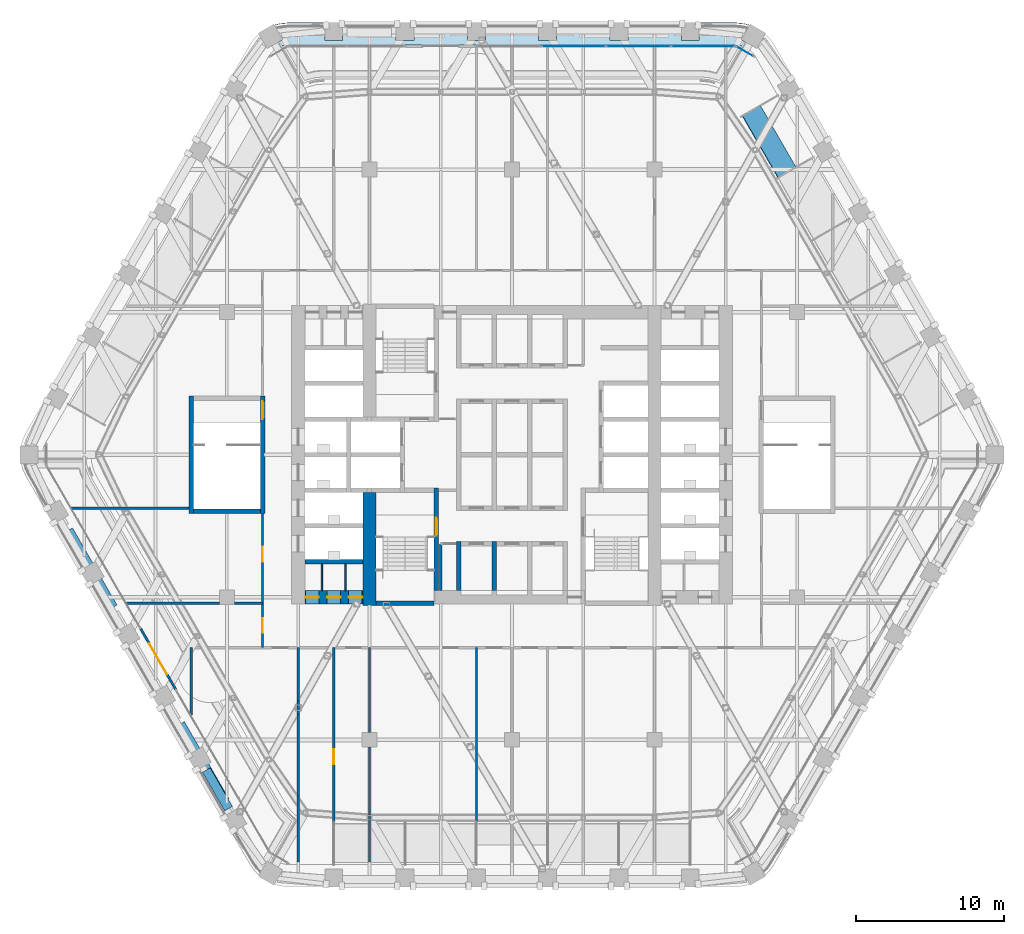
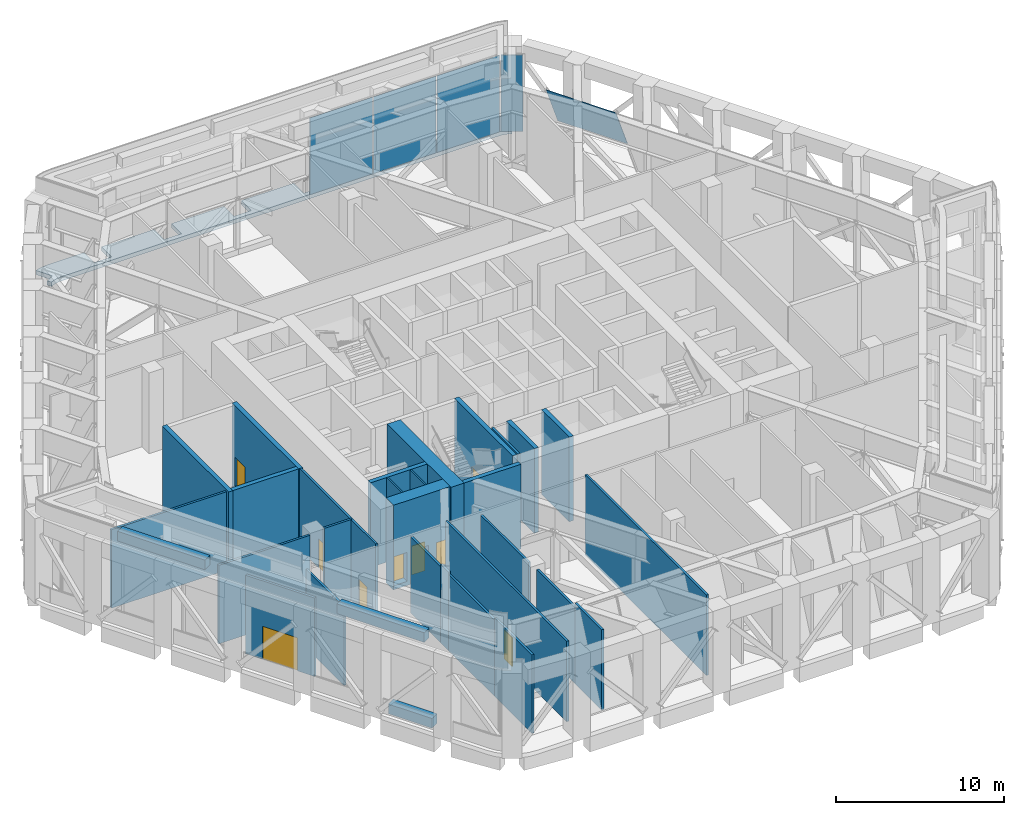
# One storey, part 15 of 27: 31 walls, 9 doors, 5 plates, 1 slab, 9 openings, 3 elements without a shape of their own.
"""IFC4 building model written with IfcOpenShell, lengths in metres."""

from ifc_helpers import new_model, si_unit, direction, frame, frame_2d, origin, origin_2d, place, context, subcontext, project, spatial, polyline, rectangle, outline, extrude, material, layer, layer_set, type_object, element, fill, aggregate, save


model = new_model("IFC4")

# Units and contexts
model_context = context("Model", 3, precision=1e-05, world=origin(), true_north=direction((0.0, 1.0)))
body_context = subcontext(model_context, "Body", "Model", "MODEL_VIEW")
ifc_project = project(units=[si_unit("LENGTHUNIT", "METRE"), si_unit("AREAUNIT", "SQUARE_METRE"), si_unit("VOLUMEUNIT", "CUBIC_METRE"), si_unit("PLANEANGLEUNIT", "RADIAN"), si_unit("MASSUNIT", "GRAM", prefix="KILO")], contexts=[model_context])

# Site, building, storey
site_placement = place(None, origin())
site = spatial("IfcSite", under=ifc_project, at=site_placement, CompositionType="ELEMENT")
building_placement = place(site_placement, origin())
building = spatial("IfcBuilding", under=site, at=building_placement, Name="Kolab Exchange Tower", CompositionType="ELEMENT")
storey_placement = place(building_placement, frame((0.0, 0.0, 127.39990234375)))
storey = spatial("IfcBuildingStorey", under=building, at=storey_placement, Name="L25", CompositionType="ELEMENT", Elevation=127.39990234375)

# Curtain wall, plate
ifc_material_1 = material(Name="Aluminium EN AW-6063 T6", Category="aluminium")
curtain_wall_type_1 = type_object("IfcCurtainWallType", Name="CANTED BAND CURTAIN WALL", PredefinedType="NOTDEFINED", material=ifc_material_1)
curtain_wall_1_placement = place(storey_placement, origin())
curtain_wall_1 = element("IfcCurtainWall", 1, at=curtain_wall_1_placement, inside=storey, type_object=curtain_wall_type_1, Name="band/L25/F2", PredefinedType="NOTDEFINED")
ifc_layer_1 = layer(ifc_material_1, 0.031982421875)
ifc_layer_set_1 = layer_set([ifc_layer_1], Name="Aluminium EN AW-6063 T6")
plate_type_1 = type_object("IfcPlateType", Name="CANTED BAND LOUVRE PANEL 32", PredefinedType="CURTAIN_PANEL", material=ifc_layer_set_1)
plate_1_placement = place(storey_placement, frame((16.730224609375, 23.515625, 2.72265625), z_axis=(0.789544835727, 0.455832128459, 0.4108966087), x_axis=(0.499988437543, -0.866032079256, 4.763279e-06)))
plate_1 = element("IfcPlate", 2, at=plate_1_placement, type_object=plate_type_1, Name="Band louvre panel", PredefinedType="CURTAIN_PANEL", context=body_context, shape_type="SweptSolid", body=[
    extrude(outline(polyline([(0.0, 0.0), (4.800003553354755, 1.1102230246251565e-16), (4.799917624033859, -3.375486063607756), (0.0001255042922034945, -3.37553621980711), (0.0, 0.0)])), origin(), (0.0, 0.0, -1.0), 0.031982421875),
])
aggregate(curtain_wall_1, [plate_1])

# Slab
ifc_material_2 = material(Name="Concrete C35/45", Category="concrete")
ifc_layer_2 = layer(ifc_material_2, 0.300048828125)
ifc_layer_set_2 = layer_set([ifc_layer_2], Name="Concrete C35/45")
slab_type = type_object("IfcSlabType", Name="LOGGIA SLAB 300", PredefinedType="FLOOR", material=ifc_layer_set_2)
slab_placement = place(storey_placement, frame((0.0, 0.0, -0.2998046875)))
element("IfcSlab", 3, at=slab_placement, inside=storey, type_object=slab_type, Name="slab/L25/loggia/0-0", PredefinedType="FLOOR", context=body_context, shape_type="SweptSolid", body=[
    extrude(outline(polyline([(15.81787109375, 27.3974609375), (15.968017578125, 27.6572265625), (15.4482421875, 27.957275390625), (16.014892578125, 28.938720703125), (15.5888671875, 29.052978515625), (15.06787109375, 29.098388671875), (12.60009765625, 29.098388671875), (12.60009765625, 27.8984375), (11.39990234375, 27.8984375), (11.39990234375, 29.098388671875), (7.800048828125, 29.098388671875), (7.800048828125, 27.8984375), (6.60009765625, 27.8984375), (6.60009765625, 29.098388671875), (3.0, 29.098388671875), (3.0, 27.8984375), (1.800048828125, 27.8984375), (1.800048828125, 29.098388671875), (-1.800048828125, 29.098388671875), (-1.800048828125, 27.8984375), (-3.0, 27.8984375), (-3.0, 29.098388671875), (-6.60009765625, 29.098388671875), (-6.60009765625, 27.8984375), (-7.800048828125, 27.8984375), (-7.800048828125, 29.098388671875), (-11.39990234375, 29.098388671875), (-11.39990234375, 27.8984375), (-12.60009765625, 27.8984375), (-12.60009765625, 29.098388671875), (-15.06787109375, 29.098388671875), (-15.5888671875, 29.052978515625), (-16.014892578125, 28.938720703125), (-15.4482421875, 27.957275390625), (-15.968017578125, 27.6572265625), (-15.81787109375, 27.3974609375), (-15.5810546875, 27.508056640625), (-15.328369140625, 27.57568359375), (-15.06787109375, 27.598388671875), (15.06787109375, 27.598388671875), (15.328369140625, 27.57568359375), (15.5810546875, 27.508056640625), (15.81787109375, 27.3974609375)])), origin(), (0.0, 0.0, 1.0), 0.2998046875),
])

# Curtain wall, plates
curtain_wall_type_2 = type_object("IfcCurtainWallType", Name="UNITISED LOWER MID ZONE BELT CURTAIN WALL", PredefinedType="NOTDEFINED", material=ifc_material_1)
curtain_wall_2_placement = place(storey_placement, origin())
curtain_wall_2 = element("IfcCurtainWall", 4, at=curtain_wall_2_placement, inside=storey, type_object=curtain_wall_type_2, Name="cw/L25/F1-2", PredefinedType="NOTDEFINED")
ifc_layer_3 = layer(ifc_material_1, 0.02587890625)
ifc_layer_set_3 = layer_set([ifc_layer_3], Name="Aluminium EN AW-6063 T6")
plate_type_2 = type_object("IfcPlateType", Name="UNITISED LOWER MID ZONE BELT LOUVRE PANEL 26", PredefinedType="CURTAIN_PANEL", material=ifc_layer_set_3)
plate_2_placement = place(storey_placement, frame((4.150390625, 27.5185546875, 0.06005859375), z_axis=(0.0, 0.0, 1.0), x_axis=(1.0, 0.0, 0.0)))
plate_2 = element("IfcPlate", 5, at=plate_2_placement, type_object=plate_type_2, Name="CW10 panel 2.1", PredefinedType="CURTAIN_PANEL", context=body_context, shape_type="SweptSolid", body=[
    extrude(rectangle(XDim=4.306884765625, YDim=0.02587890625, at=origin_2d()), origin(), (0.0, 0.0, 1.0), 5.580078125),
])
plate_3_placement = place(storey_placement, frame((8.517578125, 27.5185546875, 0.06005859375), z_axis=(0.0, 0.0, 1.0), x_axis=(1.0, 0.0, 0.0)))
plate_3 = element("IfcPlate", 6, at=plate_3_placement, type_object=plate_type_2, Name="CW10 panel 3.1", PredefinedType="CURTAIN_PANEL", context=body_context, shape_type="SweptSolid", body=[
    extrude(rectangle(XDim=4.306884765625, YDim=0.02587890625, at=origin_2d()), origin(), (0.0, 0.0, 1.0), 5.580078125),
])
plate_4_placement = place(storey_placement, frame((12.869384765625, 27.5185546875, 0.06005859375), z_axis=(0.0, 0.0, 1.0), x_axis=(1.0, 0.0, 0.0)))
plate_4 = element("IfcPlate", 7, at=plate_4_placement, type_object=plate_type_2, Name="CW10 panel 4.1", PredefinedType="CURTAIN_PANEL", context=body_context, shape_type="SweptSolid", body=[
    extrude(rectangle(XDim=4.277099609375, YDim=0.02587890625, at=origin_2d()), origin(), (0.0, 0.0, 1.0), 5.580078125),
])
aggregate(curtain_wall_2, [plate_2, plate_3, plate_4])

# Curtain wall, plate
curtain_wall_3_placement = place(storey_placement, origin())
curtain_wall_3 = element("IfcCurtainWall", 8, at=curtain_wall_3_placement, inside=storey, type_object=curtain_wall_type_2, Name="cw/L25/F1F2-corner", PredefinedType="NOTDEFINED")
plate_5_placement = place(storey_placement, frame((15.682861328125, 27.16357421875, 0.06005859375), z_axis=(0.0, 0.0, 1.0), x_axis=(0.866025390869, -0.50000002237, 0.0)))
plate_5 = element("IfcPlate", 9, at=plate_5_placement, type_object=plate_type_2, Name="CW10 panel 1.1", PredefinedType="CURTAIN_PANEL", context=body_context, shape_type="SweptSolid", body=[
    extrude(rectangle(XDim=1.300048828125, YDim=0.02587890625, at=origin_2d()), origin(), (0.0, 0.0, 1.0), 5.580078125),
])
aggregate(curtain_wall_3, [plate_5])

# Wall, openings, doors
ifc_material_3 = material(Name="Concrete C70/85", Category="concrete")
ifc_layer_4 = layer(ifc_material_3, 0.89990234375)
ifc_layer_set_4 = layer_set([ifc_layer_4], Name="Concrete C70/85")
wall_type_1 = type_object("IfcWallType", Name="CORE WALL 900 C70/85", PredefinedType="SHEAR", material=ifc_layer_set_4)
wall_1_placement = place(storey_placement, frame((-13.949951171875, -9.60009765625, -0.2998046875), z_axis=(0.0, 0.0, 1.0), x_axis=(1.0, 0.0, 0.0)))
wall_1 = element("IfcWall", 10, at=wall_1_placement, inside=storey, type_object=wall_type_1, Name="wall/L25/core/002", PredefinedType="SHEAR", context=body_context, shape_type="SweptSolid", body=[
    extrude(rectangle(XDim=3.89990234375, YDim=0.89990234375, at=frame_2d((1.949951171875, 0.0))), origin(), (0.0, 0.0, 1.0), 6.14990234375),
])
opening_1_placement = place(wall_1_placement, frame((0.050048828125, 0.0, 0.300048828125)))
opening_1 = element("IfcOpeningElement", 11, at=opening_1_placement, cuts=wall_1, Name="Opening D6-281", PredefinedType="OPENING", context=body_context, shape_type="SweptSolid", body=[
    extrude(rectangle(XDim=0.89990234375, YDim=2.10009765625, at=frame_2d((0.449951171875, 1.050048828125))), frame((0.0, 0.4599609375, 0.0), z_axis=(0.0, -1.0, 0.0), x_axis=(1.0, 0.0, 0.0)), (0.0, 0.0, 1.0), 0.919921875),
])
opening_2_placement = place(wall_1_placement, frame((1.5, 0.0, 0.300048828125)))
opening_2 = element("IfcOpeningElement", 12, at=opening_2_placement, cuts=wall_1, Name="Opening D6-282", PredefinedType="OPENING", context=body_context, shape_type="SweptSolid", body=[
    extrude(rectangle(XDim=0.89990234375, YDim=2.10009765625, at=frame_2d((0.449951171875, 1.050048828125))), frame((0.0, 0.4599609375, 0.0), z_axis=(0.0, -1.0, 0.0), x_axis=(1.0, 0.0, 0.0)), (0.0, 0.0, 1.0), 0.919921875),
])
opening_3_placement = place(wall_1_placement, frame((2.949951171875, 0.0, 0.300048828125)))
opening_3 = element("IfcOpeningElement", 13, at=opening_3_placement, cuts=wall_1, Name="Opening D6-283", PredefinedType="OPENING", context=body_context, shape_type="SweptSolid", body=[
    extrude(rectangle(XDim=0.89990234375, YDim=2.10009765625, at=frame_2d((0.449951171875, 1.050048828125))), frame((0.0, 0.4599609375, 0.0), z_axis=(0.0, -1.0, 0.0), x_axis=(1.0, 0.0, 0.0)), (0.0, 0.0, 1.0), 0.919921875),
])
ifc_material_4 = material(Name="Steel S235", Category="steel")
door_type_1 = type_object("IfcDoorType", Name="CORE DOOR 900 EI 120", OperationType="SINGLE_SWING_LEFT", PredefinedType="DOOR", material=ifc_material_4)
door_1_placement = place(opening_1_placement, origin())
door_1 = element("IfcDoor", 14, at=door_1_placement, inside=storey, type_object=door_type_1, Name="Service room door", OperationType="SINGLE_SWING_RIGHT", OverallHeight=2.10009765625, OverallWidth=0.89990234375, PredefinedType="DOOR", context=body_context, shape_type="SweptSolid", body=[
    extrude(rectangle(XDim=0.89990234375, YDim=2.10009765625, at=frame_2d((0.449951171875, 1.050048828125))), frame((0.0, 0.02490234375, 0.0), z_axis=(0.0, -1.0, 0.0), x_axis=(1.0, 0.0, 0.0)), (0.0, 0.0, 1.0), 0.050048828125),
])
fill(opening_1, door_1)
door_2_placement = place(opening_2_placement, origin())
door_2 = element("IfcDoor", 15, at=door_2_placement, inside=storey, type_object=door_type_1, Name="Service room door", OperationType="SINGLE_SWING_LEFT", OverallHeight=2.10009765625, OverallWidth=0.89990234375, PredefinedType="DOOR", context=body_context, shape_type="SweptSolid", body=[
    extrude(rectangle(XDim=0.89990234375, YDim=2.10009765625, at=frame_2d((0.449951171875, 1.050048828125))), frame((0.0, 0.02490234375, 0.0), z_axis=(0.0, -1.0, 0.0), x_axis=(1.0, 0.0, 0.0)), (0.0, 0.0, 1.0), 0.050048828125),
])
fill(opening_2, door_2)
door_3_placement = place(opening_3_placement, origin())
door_3 = element("IfcDoor", 16, at=door_3_placement, inside=storey, type_object=door_type_1, Name="Service room door", OperationType="SINGLE_SWING_LEFT", OverallHeight=2.10009765625, OverallWidth=0.89990234375, PredefinedType="DOOR", context=body_context, shape_type="SweptSolid", body=[
    extrude(rectangle(XDim=0.89990234375, YDim=2.10009765625, at=frame_2d((0.449951171875, 1.050048828125))), frame((0.0, 0.02490234375, 0.0), z_axis=(0.0, -1.0, 0.0), x_axis=(1.0, 0.0, 0.0)), (0.0, 0.0, 1.0), 0.050048828125),
])
fill(opening_3, door_3)

# Wall
wall_2_placement = place(storey_placement, frame((-9.60009765625, -10.14990234375, -0.2998046875), z_axis=(0.0, 0.0, 1.0), x_axis=(0.0, 1.0, 0.0)))
element("IfcWall", 17, at=wall_2_placement, inside=storey, type_object=wall_type_1, Name="wall/L25/core/059", PredefinedType="SHEAR", context=body_context, shape_type="SweptSolid", body=[
    extrude(rectangle(XDim=7.599853515625, YDim=0.89990234375, at=frame_2d((3.7998046875, 0.0))), origin(), (0.0, 0.0, 1.0), 6.14990234375),
])

# Wall, opening, door
ifc_layer_5 = layer(ifc_material_1, 0.159912109375)
ifc_layer_set_5 = layer_set([ifc_layer_5], Name="Aluminium EN AW-6063 T6")
wall_type_2 = type_object("IfcWallType", Name="DOOR SURROUND WALL 160 ALUMINIUM FRAMED", PredefinedType="PARTITIONING", material=ifc_layer_set_5)
wall_3_placement = place(storey_placement, frame((-22.646728515625, -15.811767578125, 0.0), z_axis=(0.0, 0.0, 1.0), x_axis=(-0.499978080042, 0.866038058908, 0.0)))
wall_3 = element("IfcWall", 18, at=wall_3_placement, inside=storey, type_object=wall_type_2, Name="Door surround wall", PredefinedType="PARTITIONING", context=body_context, shape_type="SweptSolid", body=[
    extrude(rectangle(XDim=4.739990234375, YDim=0.159912109375, at=frame_2d((2.3701171875, 0.0))), origin(), (0.0, 0.0, 1.0), 5.7001953125),
])
opening_4_placement = place(wall_3_placement, frame((1.169921875, 0.0, 0.0)))
opening_4 = element("IfcOpeningElement", 19, at=opening_4_placement, cuts=wall_3, Name="Opening GD1-054", PredefinedType="OPENING", context=body_context, shape_type="SweptSolid", body=[
    extrude(rectangle(XDim=2.39990234375, YDim=2.39990234375, at=frame_2d((1.199951171875, 1.199951171875))), frame((0.0, 0.08984375, 0.0), z_axis=(0.0, -1.0, 0.0), x_axis=(1.0, 0.0, 0.0)), (0.0, 0.0, 1.0), 0.179931640625),
])
door_type_2 = type_object("IfcDoorType", Name="LOGGIA SLIDING GLASS DOOR 2400 X 2400", OperationType="DOUBLE_DOOR_SINGLE_SWING", PredefinedType="DOOR", material=ifc_material_1)
door_4_placement = place(opening_4_placement, origin())
door_4 = element("IfcDoor", 20, at=door_4_placement, inside=storey, type_object=door_type_2, Name="Loggia door", OperationType="DOUBLE_DOOR_SLIDING", OverallHeight=2.39990234375, OverallWidth=2.39990234375, PredefinedType="DOOR", context=body_context, shape_type="SweptSolid", body=[
    extrude(rectangle(XDim=2.39990234375, YDim=2.39990234375, at=frame_2d((1.199951171875, 1.199951171875))), frame((0.0, 0.02490234375, 0.0), z_axis=(0.0, -1.0, 0.0), x_axis=(1.0, 0.0, 0.0)), (0.0, 0.0, 1.0), 0.050048828125),
])
fill(opening_4, door_4)

# Walls
ifc_material_5 = material(Name="Concrete C50/60", Category="concrete")
ifc_layer_6 = layer(ifc_material_5, 0.300048828125)
ifc_layer_set_6 = layer_set([ifc_layer_6], Name="Concrete C50/60")
wall_type_3 = type_object("IfcWallType", Name="LIFT SHAFT WALL 300 C50/60", PredefinedType="STANDARD", material=ifc_layer_set_6)
wall_4_placement = place(storey_placement, frame((-13.949951171875, -7.199951171875, -0.2998046875), z_axis=(0.0, 0.0, 1.0), x_axis=(1.0, 0.0, 0.0)))
element("IfcWall", 21, at=wall_4_placement, inside=storey, type_object=wall_type_3, Name="wall/L25/core/005", PredefinedType="STANDARD", context=body_context, shape_type="SweptSolid", body=[
    extrude(rectangle(XDim=3.89990234375, YDim=0.300048828125, at=frame_2d((1.949951171875, 0.0))), origin(), (0.0, 0.0, 1.0), 6.14990234375),
])
for number, where, z_axis, x_axis, name in (
    (22, (-3.60009765625, -9.14990234375, -0.2998046875), (0.0, 0.0, 1.0), (0.0, 1.0, 0.0), "wall/L25/core/066"),
    (23, (-1.199951171875, -9.14990234375, -0.2998046875), (0.0, 0.0, 1.0), (0.0, 1.0, 0.0), "wall/L25/core/069"),
):
    element("IfcWall", number, at=place(storey_placement, frame(where, z_axis=z_axis, x_axis=x_axis)), inside=storey, type_object=wall_type_3, Name=name, PredefinedType="STANDARD", context=body_context, shape_type="SweptSolid", body=[
        extrude(rectangle(XDim=3.2998046875, YDim=0.300048828125, at=frame_2d((1.64990234375, 0.0))), origin(), (0.0, 0.0, 1.0), 6.14990234375),
    ])
ifc_material_6 = material(Name="Gypsum board", Category="gypsum")
ifc_layer_7 = layer(ifc_material_6, 0.10009765625)
ifc_layer_set_7 = layer_set([ifc_layer_7], Name="Gypsum board")
wall_type_4 = type_object("IfcWallType", Name="PARTITION 100", PredefinedType="PARTITIONING", material=ifc_layer_set_7)
for number, where, z_axis, x_axis, name in (
    (24, (-11.199951171875, -9.14990234375, 0.0), (0.0, 0.0, 1.0), (0.0, 1.0, 0.0), "Partition 027"),
    (25, (-12.800048828125, -9.14990234375, 0.0), (0.0, 0.0, 1.0), (0.0, 1.0, 0.0), "Partition 031"),
):
    element("IfcWall", number, at=place(storey_placement, frame(where, z_axis=z_axis, x_axis=x_axis)), inside=storey, type_object=wall_type_4, Name=name, PredefinedType="PARTITIONING", context=body_context, shape_type="SweptSolid", body=[
        extrude(rectangle(XDim=1.7998046875, YDim=0.10009765625, at=frame_2d((0.89990234375, 0.0))), origin(), (0.0, 0.0, 1.0), 5.85009765625),
    ])
ifc_layer_8 = layer(ifc_material_6, 0.14990234375)
ifc_layer_set_8 = layer_set([ifc_layer_8], Name="Gypsum board")
wall_type_5 = type_object("IfcWallType", Name="PARTITION 150 FIRE-RATED", PredefinedType="PARTITIONING", material=ifc_layer_set_8)
wall_5_placement = place(storey_placement, frame((-2.39990234375, -27.428466796875, 0.0), z_axis=(0.0, 0.0, 1.0), x_axis=(0.0, 1.0, 0.0)))
element("IfcWall", 26, at=wall_5_placement, inside=storey, type_object=wall_type_5, Name="Partition 020", PredefinedType="PARTITIONING", context=body_context, shape_type="SweptSolid", body=[
    extrude(rectangle(XDim=14.428466796875, YDim=0.14990234375, at=frame_2d((7.21435546875, 0.0))), origin(), (0.0, 0.0, 1.0), 5.85009765625),
])
wall_6_placement = place(storey_placement, frame((-4.800048828125, -9.14990234375, 0.0), z_axis=(0.0, 0.0, 1.0), x_axis=(0.0, 1.0, 0.0)))
element("IfcWall", 27, at=wall_6_placement, inside=storey, type_object=wall_type_5, Name="Partition 022", PredefinedType="PARTITIONING", context=body_context, shape_type="SweptSolid", body=[
    extrude(rectangle(XDim=3.14990234375, YDim=0.14990234375, at=frame_2d((1.574951171875, 0.0))), origin(), (0.0, 0.0, 1.0), 5.85009765625),
])
wall_7_placement = place(storey_placement, frame((-9.60009765625, -24.230712890625, 0.0), z_axis=(0.0, 0.0, 1.0), x_axis=(0.0, 1.0, 0.0)))
element("IfcWall", 28, at=wall_7_placement, inside=storey, type_object=wall_type_5, Name="Partition 023", PredefinedType="PARTITIONING", context=body_context, shape_type="SweptSolid", body=[
    extrude(rectangle(XDim=4.53076171875, YDim=0.14990234375, at=frame_2d((2.265380859375, 0.0))), origin(), (0.0, 0.0, 1.0), 5.5400390625),
])
wall_8_placement = place(storey_placement, frame((-9.60009765625, -27.428466796875, 0.0), z_axis=(0.0, 0.0, 1.0), x_axis=(0.0, 1.0, 0.0)))
element("IfcWall", 29, at=wall_8_placement, inside=storey, type_object=wall_type_5, Name="Partition 023", PredefinedType="PARTITIONING", context=body_context, shape_type="SweptSolid", body=[
    extrude(rectangle(XDim=3.19775390625, YDim=0.14990234375, at=frame_2d((1.598876953125, 0.0))), origin(), (0.0, 0.0, 1.0), 5.85009765625),
])
wall_9_placement = place(storey_placement, frame((-9.60009765625, -18.699951171875, 0.0), z_axis=(0.0, 0.0, 1.0), x_axis=(0.0, 1.0, 0.0)))
element("IfcWall", 30, at=wall_9_placement, inside=storey, type_object=wall_type_5, Name="Partition 024", PredefinedType="PARTITIONING", context=body_context, shape_type="SweptSolid", body=[
    extrude(rectangle(XDim=5.699951171875, YDim=0.14990234375, at=frame_2d((2.85009765625, 0.0))), origin(), (0.0, 0.0, 1.0), 5.443115234375),
])

# Wall, opening, door
wall_10_placement = place(storey_placement, frame((-12.0, -27.428466796875, 0.0), z_axis=(0.0, 0.0, 1.0), x_axis=(0.0, 1.0, 0.0)))
wall_10 = element("IfcWall", 31, at=wall_10_placement, inside=storey, type_object=wall_type_5, Name="Partition 029", PredefinedType="PARTITIONING", context=body_context, shape_type="SweptSolid", body=[
    extrude(rectangle(XDim=14.428466796875, YDim=0.14990234375, at=frame_2d((7.21435546875, 0.0))), origin(), (0.0, 0.0, 1.0), 5.85009765625),
])
opening_5_placement = place(wall_10_placement, frame((6.5791015625, 0.0, 0.0)))
opening_5 = element("IfcOpeningElement", 32, at=opening_5_placement, cuts=wall_10, Name="Opening D1-367", PredefinedType="OPENING", context=body_context, shape_type="SweptSolid", body=[
    extrude(rectangle(XDim=1.0, YDim=2.10009765625, at=frame_2d((0.5, 1.050048828125))), frame((0.0, 0.0849609375, 0.0), z_axis=(0.0, -1.0, 0.0), x_axis=(1.0, 0.0, 0.0)), (0.0, 0.0, 1.0), 0.169921875),
])
door_type_3 = type_object("IfcDoorType", Name="FLUSH DOOR 1000 FD60", OperationType="SINGLE_SWING_LEFT", PredefinedType="DOOR", material=ifc_material_4)
door_5_placement = place(opening_5_placement, origin())
door_5 = element("IfcDoor", 33, at=door_5_placement, inside=storey, type_object=door_type_3, Name="Door L25-060", OperationType="SINGLE_SWING_LEFT", OverallHeight=2.10009765625, OverallWidth=1.0, PredefinedType="DOOR", context=body_context, shape_type="SweptSolid", body=[
    extrude(rectangle(XDim=1.0, YDim=2.10009765625, at=frame_2d((0.5, 1.050048828125))), frame((0.0, 0.02490234375, 0.0), z_axis=(0.0, -1.0, 0.0), x_axis=(1.0, 0.0, 0.0)), (0.0, 0.0, 1.0), 0.050048828125),
])
fill(opening_5, door_5)

# Walls
wall_11_placement = place(storey_placement, frame((-14.39990234375, -23.00146484375, 0.0), z_axis=(0.0, 0.0, 1.0), x_axis=(0.0, 1.0, 0.0)))
element("IfcWall", 34, at=wall_11_placement, inside=storey, type_object=wall_type_5, Name="Partition 033", PredefinedType="PARTITIONING", context=body_context, shape_type="SweptSolid", body=[
    extrude(rectangle(XDim=5.4892578125, YDim=0.14990234375, at=frame_2d((2.74462890625, 0.0))), origin(), (0.0, 0.0, 1.0), 5.5400390625),
])
wall_12_placement = place(storey_placement, frame((-14.39990234375, -27.428466796875, 0.0), z_axis=(0.0, 0.0, 1.0), x_axis=(0.0, 1.0, 0.0)))
element("IfcWall", 35, at=wall_12_placement, inside=storey, type_object=wall_type_5, Name="Partition 033", PredefinedType="PARTITIONING", context=body_context, shape_type="SweptSolid", body=[
    extrude(rectangle(XDim=4.427001953125, YDim=0.14990234375, at=frame_2d((2.21337890625, 0.0))), origin(), (0.0, 0.0, 1.0), 5.7001953125),
])
wall_13_placement = place(storey_placement, frame((-14.39990234375, -17.51220703125, 0.0), z_axis=(0.0, 0.0, 1.0), x_axis=(0.0, 1.0, 0.0)))
element("IfcWall", 36, at=wall_13_placement, inside=storey, type_object=wall_type_5, Name="Partition 033", PredefinedType="PARTITIONING", context=body_context, shape_type="SweptSolid", body=[
    extrude(rectangle(XDim=0.93896484375, YDim=0.14990234375, at=frame_2d((0.469482421875, 0.0))), origin(), (0.0, 0.0, 1.0), 5.7001953125),
])
wall_14_placement = place(storey_placement, frame((-14.39990234375, -16.5732421875, 0.0), z_axis=(0.0, 0.0, 1.0), x_axis=(0.0, 1.0, 0.0)))
element("IfcWall", 37, at=wall_14_placement, inside=storey, type_object=wall_type_5, Name="Partition 033", PredefinedType="PARTITIONING", context=body_context, shape_type="SweptSolid", body=[
    extrude(rectangle(XDim=3.5732421875, YDim=0.14990234375, at=frame_2d((1.78662109375, 0.0))), origin(), (0.0, 0.0, 1.0), 5.5400390625),
])

# Wall, openings, doors
wall_15_placement = place(storey_placement, frame((-16.800048828125, -13.0, 0.0), z_axis=(0.0, 0.0, 1.0), x_axis=(0.0, 1.0, 0.0)))
wall_15 = element("IfcWall", 38, at=wall_15_placement, inside=storey, type_object=wall_type_5, Name="Partition 034", PredefinedType="PARTITIONING", context=body_context, shape_type="SweptSolid", body=[
    extrude(rectangle(XDim=9.050048828125, YDim=0.14990234375, at=frame_2d((4.52490234375, 0.0))), origin(), (0.0, 0.0, 1.0), 5.85009765625),
])
opening_6_placement = place(wall_15_placement, frame((1.0, 0.0, 0.0)))
opening_6 = element("IfcOpeningElement", 39, at=opening_6_placement, cuts=wall_15, Name="Opening D1-380", PredefinedType="OPENING", context=body_context, shape_type="SweptSolid", body=[
    extrude(rectangle(XDim=1.0, YDim=2.10009765625, at=frame_2d((0.5, 1.050048828125))), frame((0.0, 0.0849609375, 0.0), z_axis=(0.0, -1.0, 0.0), x_axis=(1.0, 0.0, 0.0)), (0.0, 0.0, 1.0), 0.169921875),
])
opening_7_placement = place(wall_15_placement, frame((5.800048828125, 0.0, 0.0)))
opening_7 = element("IfcOpeningElement", 40, at=opening_7_placement, cuts=wall_15, Name="Opening D1-381", PredefinedType="OPENING", context=body_context, shape_type="SweptSolid", body=[
    extrude(rectangle(XDim=1.0, YDim=2.10009765625, at=frame_2d((0.5, 1.050048828125))), frame((0.0, 0.0849609375, 0.0), z_axis=(0.0, -1.0, 0.0), x_axis=(1.0, 0.0, 0.0)), (0.0, 0.0, 1.0), 0.169921875),
])
door_6_placement = place(opening_6_placement, origin())
door_6 = element("IfcDoor", 41, at=door_6_placement, inside=storey, type_object=door_type_3, Name="Door L25-073", OperationType="SINGLE_SWING_LEFT", OverallHeight=2.10009765625, OverallWidth=1.0, PredefinedType="DOOR", context=body_context, shape_type="SweptSolid", body=[
    extrude(rectangle(XDim=1.0, YDim=2.10009765625, at=frame_2d((0.5, 1.050048828125))), frame((0.0, 0.02490234375, 0.0), z_axis=(0.0, -1.0, 0.0), x_axis=(1.0, 0.0, 0.0)), (0.0, 0.0, 1.0), 0.050048828125),
])
fill(opening_6, door_6)
door_7_placement = place(opening_7_placement, origin())
door_7 = element("IfcDoor", 42, at=door_7_placement, inside=storey, type_object=door_type_3, Name="Door L25-074", OperationType="SINGLE_SWING_RIGHT", OverallHeight=2.10009765625, OverallWidth=1.0, PredefinedType="DOOR", context=body_context, shape_type="SweptSolid", body=[
    extrude(rectangle(XDim=1.0, YDim=2.10009765625, at=frame_2d((0.5, 1.050048828125))), frame((0.0, 0.02490234375, 0.0), z_axis=(0.0, -1.0, 0.0), x_axis=(1.0, 0.0, 0.0)), (0.0, 0.0, 1.0), 0.050048828125),
])
fill(opening_7, door_7)

# Walls
wall_16_placement = place(storey_placement, frame((-21.60009765625, -17.544677734375, 0.0), z_axis=(0.0, 0.0, 1.0), x_axis=(0.0, 1.0, 0.0)))
element("IfcWall", 43, at=wall_16_placement, inside=storey, type_object=wall_type_5, Name="Partition 036", PredefinedType="PARTITIONING", context=body_context, shape_type="SweptSolid", body=[
    extrude(rectangle(XDim=4.544677734375, YDim=0.14990234375, at=frame_2d((2.2724609375, 0.0))), origin(), (0.0, 0.0, 1.0), 5.7001953125),
])
wall_17_placement = place(storey_placement, frame((-25.955810546875, -10.0, 0.0), z_axis=(0.0, 0.0, 1.0), x_axis=(1.0, 0.0, 0.0)))
element("IfcWall", 44, at=wall_17_placement, inside=storey, type_object=wall_type_5, Name="Partition 039", PredefinedType="PARTITIONING", context=body_context, shape_type="SweptSolid", body=[
    extrude(rectangle(XDim=6.255859375, YDim=0.14990234375, at=frame_2d((3.1279296875, 0.0))), origin(), (0.0, 0.0, 1.0), 5.7001953125),
])
wall_18_placement = place(storey_placement, frame((-18.699951171875, -10.0, 0.0), z_axis=(0.0, 0.0, 1.0), x_axis=(1.0, 0.0, 0.0)))
element("IfcWall", 45, at=wall_18_placement, inside=storey, type_object=wall_type_5, Name="Partition 040", PredefinedType="PARTITIONING", context=body_context, shape_type="SweptSolid", body=[
    extrude(rectangle(XDim=1.89990234375, YDim=0.14990234375, at=frame_2d((0.949951171875, 0.0))), origin(), (0.0, 0.0, 1.0), 5.85009765625),
])
wall_19_placement = place(storey_placement, frame((-29.65087890625, -3.60009765625, 0.0), z_axis=(0.0, 0.0, 1.0), x_axis=(1.0, 0.0, 0.0)))
element("IfcWall", 46, at=wall_19_placement, inside=storey, type_object=wall_type_5, Name="Partition 044", PredefinedType="PARTITIONING", context=body_context, shape_type="SweptSolid", body=[
    extrude(rectangle(XDim=7.90087890625, YDim=0.14990234375, at=frame_2d((3.950439453125, 0.0))), origin(), (0.0, 0.0, 1.0), 5.7001953125),
])
ifc_material_7 = material(Name="Granite facing", Category="masonry")
ifc_layer_9 = layer(ifc_material_7, 0.0400390625)
ifc_material_8 = material(Name="Concrete C40/50 precast", Category="concrete")
ifc_layer_10 = layer(ifc_material_8, 0.56005859375)
ifc_layer_set_9 = layer_set([ifc_layer_9, ifc_layer_10], Name="Concrete C40/50 precast")
wall_type_6 = type_object("IfcWallType", Name="PLANTER BOX 600 X 700 SOIL DEPTH 550", PredefinedType="USERDEFINED", material=ifc_layer_set_9)
wall_20_placement = place(storey_placement, frame((-19.087158203125, -23.837158203125, 0.0), z_axis=(0.0, 0.0, 1.0), x_axis=(-0.499990139034, 0.866031096941, 0.0)))
element("IfcWall", 47, at=wall_20_placement, inside=storey, type_object=wall_type_6, Name="Planter", ObjectType="PLANTER", PredefinedType="USERDEFINED", context=body_context, shape_type="SweptSolid", body=[
    extrude(rectangle(XDim=3.0, YDim=0.60009765625, at=frame_2d((1.5, 0.0))), origin(), (0.0, 0.0, 1.0), 0.7001953125),
])
for number, where, z_axis, x_axis, name in (
    (48, (-19.326904296875, -23.322021484375, 6.0), (0.0, 0.0, 1.0), (-0.499990139034, 0.866031096941, 0.0), "Planter"),
    (49, (-26.86083984375, -10.272705078125, 6.0), (0.0, 0.0, 1.0), (-0.499990139034, 0.866031096941, 0.0), "Planter"),
):
    element("IfcWall", number, at=place(storey_placement, frame(where, z_axis=z_axis, x_axis=x_axis)), inside=storey, type_object=wall_type_6, Name=name, ObjectType="PLANTER", PredefinedType="USERDEFINED", context=body_context, shape_type="SweptSolid", body=[
        extrude(rectangle(XDim=6.0, YDim=0.60009765625, at=frame_2d((3.0, 0.0))), origin(), (0.0, 0.0, 1.0), 0.7001953125),
    ])
ifc_layer_11 = layer(ifc_material_5, 0.300048828125)
ifc_layer_set_10 = layer_set([ifc_layer_11], Name="Concrete C50/60")
wall_type_7 = type_object("IfcWallType", Name="STAIR ENCLOSURE WALL 300 C50/60", PredefinedType="STANDARD", material=ifc_layer_set_10)
wall_21_placement = place(storey_placement, frame((-9.14990234375, -10.0, -0.2998046875), z_axis=(0.0, 0.0, 1.0), x_axis=(1.0, 0.0, 0.0)))
element("IfcWall", 50, at=wall_21_placement, inside=storey, type_object=wall_type_7, Name="wall/L25/core/000", PredefinedType="STANDARD", context=body_context, shape_type="SweptSolid", body=[
    extrude(rectangle(XDim=3.89990234375, YDim=0.300048828125, at=frame_2d((1.949951171875, 0.0))), origin(), (0.0, 0.0, 1.0), 6.14990234375),
])
wall_22_placement = place(storey_placement, frame((-21.449951171875, -3.800048828125, -0.2998046875), z_axis=(0.0, 0.0, 1.0), x_axis=(1.0, 0.0, 0.0)))
element("IfcWall", 51, at=wall_22_placement, inside=storey, type_object=wall_type_7, Name="wall/L25/core/012", PredefinedType="STANDARD", context=body_context, shape_type="SweptSolid", body=[
    extrude(rectangle(XDim=4.5, YDim=0.300048828125, at=frame_2d((2.25, 0.0))), origin(), (0.0, 0.0, 1.0), 6.14990234375),
])
wall_23_placement = place(storey_placement, frame((-21.60009765625, -3.949951171875, -0.2998046875), z_axis=(0.0, 0.0, 1.0), x_axis=(0.0, 1.0, 0.0)))
element("IfcWall", 52, at=wall_23_placement, inside=storey, type_object=wall_type_7, Name="wall/L25/core/055", PredefinedType="STANDARD", context=body_context, shape_type="SweptSolid", body=[
    extrude(rectangle(XDim=7.89990234375, YDim=0.300048828125, at=frame_2d((3.949951171875, 0.0))), origin(), (0.0, 0.0, 1.0), 6.14990234375),
])

# Wall, opening, door
wall_24_placement = place(storey_placement, frame((-16.800048828125, -3.949951171875, -0.2998046875), z_axis=(0.0, 0.0, 1.0), x_axis=(0.0, 1.0, 0.0)))
wall_24 = element("IfcWall", 53, at=wall_24_placement, inside=storey, type_object=wall_type_7, Name="wall/L25/core/056", PredefinedType="STANDARD", context=body_context, shape_type="SweptSolid", body=[
    extrude(rectangle(XDim=7.89990234375, YDim=0.300048828125, at=frame_2d((3.949951171875, 0.0))), origin(), (0.0, 0.0, 1.0), 6.14990234375),
])
opening_8_placement = place(wall_24_placement, frame((6.35009765625, 0.0, 0.300048828125)))
opening_8 = element("IfcOpeningElement", 54, at=opening_8_placement, cuts=wall_24, Name="Opening D4-060", PredefinedType="OPENING", context=body_context, shape_type="SweptSolid", body=[
    extrude(rectangle(XDim=1.199951171875, YDim=2.10009765625, at=frame_2d((0.60009765625, 1.050048828125))), frame((0.0, 0.16015625, 0.0), z_axis=(0.0, -1.0, 0.0), x_axis=(1.0, 0.0, 0.0)), (0.0, 0.0, 1.0), 0.320068359375),
])
door_type_4 = type_object("IfcDoorType", Name="STAIR DOOR 1200 EI 120", OperationType="SINGLE_SWING_LEFT", PredefinedType="DOOR", material=ifc_material_4)
door_8_placement = place(opening_8_placement, origin())
door_8 = element("IfcDoor", 55, at=door_8_placement, inside=storey, type_object=door_type_4, Name="Stair 5 door", OperationType="SINGLE_SWING_RIGHT", OverallHeight=2.10009765625, OverallWidth=1.199951171875, PredefinedType="DOOR", context=body_context, shape_type="SweptSolid", body=[
    extrude(rectangle(XDim=1.199951171875, YDim=2.10009765625, at=frame_2d((0.60009765625, 1.050048828125))), frame((0.0, 0.02490234375, 0.0), z_axis=(0.0, -1.0, 0.0), x_axis=(1.0, 0.0, 0.0)), (0.0, 0.0, 1.0), 0.050048828125),
])
fill(opening_8, door_8)

wall_25_placement = place(storey_placement, frame((-5.10009765625, -9.14990234375, -0.2998046875), z_axis=(0.0, 0.0, 1.0), x_axis=(0.0, 1.0, 0.0)))
wall_25 = element("IfcWall", 56, at=wall_25_placement, inside=storey, type_object=wall_type_7, Name="wall/L25/core/064", PredefinedType="STANDARD", context=body_context, shape_type="SweptSolid", body=[
    extrude(rectangle(XDim=6.89990234375, YDim=0.300048828125, at=frame_2d((3.449951171875, 0.0))), origin(), (0.0, 0.0, 1.0), 6.14990234375),
])
opening_9_placement = place(wall_25_placement, frame((3.699951171875, 0.0, 0.300048828125)))
opening_9 = element("IfcOpeningElement", 57, at=opening_9_placement, cuts=wall_25, Name="Opening D4-058", PredefinedType="OPENING", context=body_context, shape_type="SweptSolid", body=[
    extrude(rectangle(XDim=1.199951171875, YDim=2.10009765625, at=frame_2d((0.60009765625, 1.050048828125))), frame((0.0, 0.16015625, 0.0), z_axis=(0.0, -1.0, 0.0), x_axis=(1.0, 0.0, 0.0)), (0.0, 0.0, 1.0), 0.320068359375),
])
door_9_placement = place(opening_9_placement, origin())
door_9 = element("IfcDoor", 58, at=door_9_placement, inside=storey, type_object=door_type_4, Name="Stair 3 door", OperationType="SINGLE_SWING_RIGHT", OverallHeight=2.10009765625, OverallWidth=1.199951171875, PredefinedType="DOOR", context=body_context, shape_type="SweptSolid", body=[
    extrude(rectangle(XDim=1.199951171875, YDim=2.10009765625, at=frame_2d((0.60009765625, 1.050048828125))), frame((0.0, 0.02490234375, 0.0), z_axis=(0.0, -1.0, 0.0), x_axis=(1.0, 0.0, 0.0)), (0.0, 0.0, 1.0), 0.050048828125),
])
fill(opening_9, door_9)

save(model, "model.ifc")
